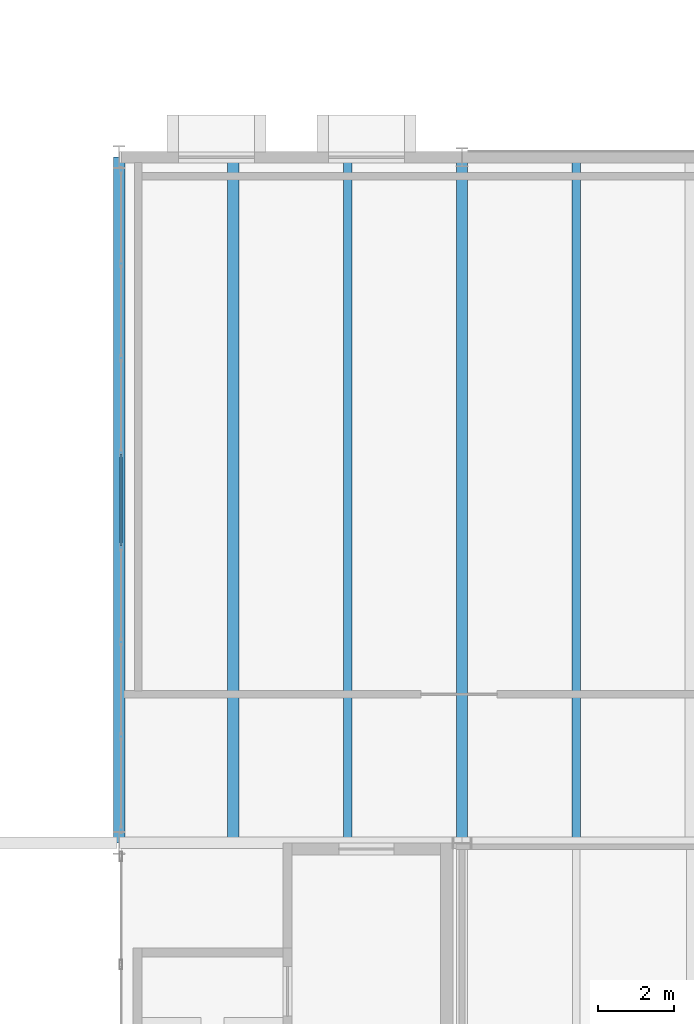
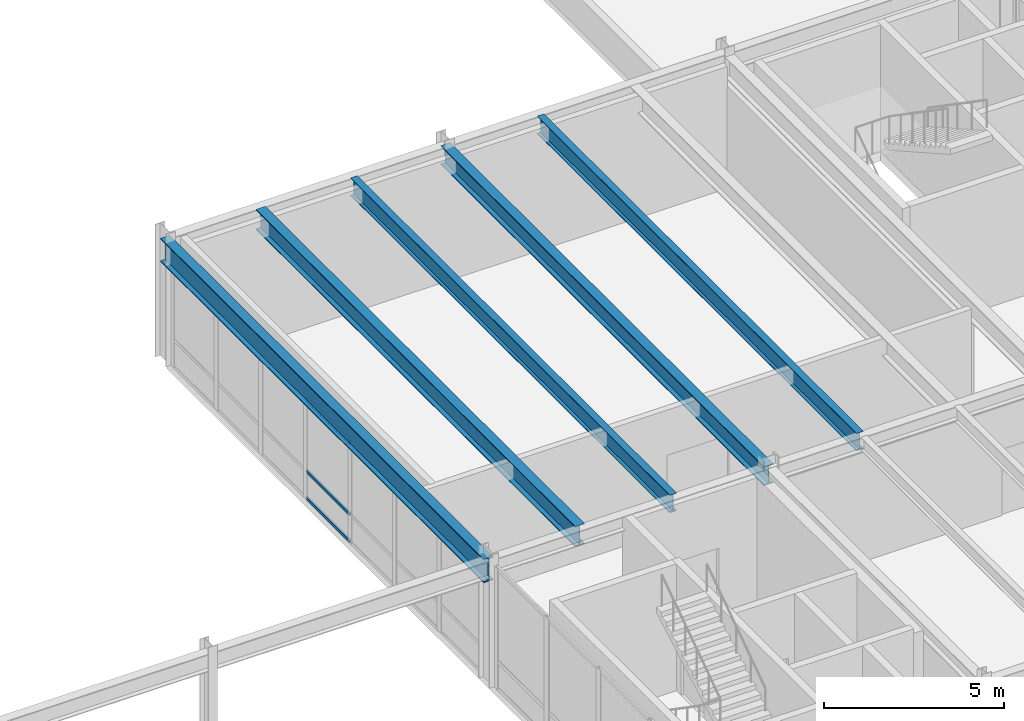
# One storey, part 79 of 115: 5 beams, 3 members, 1 element without a shape of its own.
"""IFC4 building model written with IfcOpenShell, lengths in metres."""

from ifc_helpers import new_model, si_unit, direction, frame, origin, origin_2d, place, context, subcontext, project, spatial, hollow_rectangle, i_section, extrude, material, layer, layer_set, material_profile, profile_set, type_object, element, aggregate, save


model = new_model("IFC4")

# Units and contexts
model_context = context("Model", 3, precision=1e-05, world=origin(), true_north=direction((0.0, 1.0)))
body_context = subcontext(model_context, "Body", "Model", "MODEL_VIEW")
ifc_project = project(units=[si_unit("LENGTHUNIT", "METRE"), si_unit("AREAUNIT", "SQUARE_METRE"), si_unit("VOLUMEUNIT", "CUBIC_METRE"), si_unit("PLANEANGLEUNIT", "RADIAN"), si_unit("MASSUNIT", "GRAM", prefix="KILO")], contexts=[model_context])

# Site, building, storey
site_placement = place(None, origin())
site = spatial("IfcSite", under=ifc_project, at=site_placement, CompositionType="ELEMENT")
building_placement = place(site_placement, origin())
building = spatial("IfcBuilding", under=site, at=building_placement, Name="Montelvaro Courts of Justice", CompositionType="ELEMENT")
storey_placement = place(building_placement, frame((0.0, 0.0, 9.89990234375)))
storey = spatial("IfcBuildingStorey", under=building, at=storey_placement, Name="L02", CompositionType="ELEMENT", Elevation=9.89990234375)

# Beams
ifc_material_1 = material(Name="Steel S355", Category="steel")
ifc_material_profile_1 = material_profile(ifc_material_1, i_section(OverallWidth=0.300048828125, OverallDepth=0.68994140625, WebThickness=0.014404296875, FlangeThickness=0.027099609375, at=origin_2d()), Name="HEA 700")
ifc_profile_set_1 = profile_set([ifc_material_profile_1], Name="Steel S355")
beam_type_1 = type_object("IfcBeamType", Name="Beam_HEA700", PredefinedType="USERDEFINED", material=ifc_profile_set_1)
beam_1_placement = place(storey_placement, frame((102.0, 78.110107421875, 3.85498046875), z_axis=(0.0, 1.0, 0.0), x_axis=(-1.0, 0.0, 0.0)))
element("IfcBeam", 1, at=beam_1_placement, inside=storey, type_object=beam_type_1, Name="Beam B-23 L02", ObjectType="GIRDER", PredefinedType="USERDEFINED", context=body_context, shape_type="SweptSolid", body=[
    extrude(i_section(OverallWidth=0.300048828125, OverallDepth=0.68994140625, WebThickness=0.014404296875, FlangeThickness=0.027099609375, at=origin_2d()), origin(), (0.0, 0.0, 1.0), 17.77978515625),
])
ifc_material_profile_2 = material_profile(ifc_material_1, i_section(OverallWidth=0.300048828125, OverallDepth=0.64990234375, WebThickness=0.01611328125, FlangeThickness=0.031005859375, at=origin_2d()), Name="HEB 650")
ifc_profile_set_2 = profile_set([ifc_material_profile_2], Name="Steel S355")
beam_type_2 = type_object("IfcBeamType", Name="Beam_HEB650", PredefinedType="USERDEFINED", material=ifc_profile_set_2)
beam_2_placement = place(storey_placement, frame((108.0, 78.0, 3.875), z_axis=(0.0, 1.0, 0.0), x_axis=(-1.0, 0.0, 0.0)))
element("IfcBeam", 2, at=beam_2_placement, inside=storey, type_object=beam_type_2, Name="Beam B-27 L02", ObjectType="GIRDER", PredefinedType="USERDEFINED", context=body_context, shape_type="SweptSolid", body=[
    extrude(i_section(OverallWidth=0.300048828125, OverallDepth=0.64990234375, WebThickness=0.01611328125, FlangeThickness=0.031005859375, at=origin_2d()), origin(), (0.0, 0.0, 1.0), 18.0),
])
ifc_material_profile_3 = material_profile(ifc_material_1, i_section(OverallWidth=0.300048828125, OverallDepth=0.800048828125, WebThickness=0.017578125, FlangeThickness=0.032958984375, at=origin_2d()), Name="HEB 800")
ifc_profile_set_3 = profile_set([ifc_material_profile_3], Name="Steel S355")
beam_type_3 = type_object("IfcBeamType", Name="Beam_HEB800", PredefinedType="USERDEFINED", material=ifc_profile_set_3)
beam_3_placement = place(storey_placement, frame((99.0, 78.0, 3.800048828125), z_axis=(0.0, 1.0, 0.0), x_axis=(-1.0, 0.0, 0.0)))
element("IfcBeam", 3, at=beam_3_placement, inside=storey, type_object=beam_type_3, Name="Beam B-29 L02", ObjectType="GIRDER", PredefinedType="USERDEFINED", context=body_context, shape_type="SweptSolid", body=[
    extrude(i_section(OverallWidth=0.300048828125, OverallDepth=0.800048828125, WebThickness=0.017578125, FlangeThickness=0.032958984375, at=origin_2d()), origin(), (0.0, 0.0, 1.0), 18.0),
])
ifc_material_profile_4 = material_profile(ifc_material_1, i_section(OverallWidth=0.219970703125, OverallDepth=0.60009765625, WebThickness=0.011962890625, FlangeThickness=0.01904296875, at=origin_2d()), Name="IPE 600")
ifc_profile_set_4 = profile_set([ifc_material_profile_4], Name="Steel S355")
beam_type_4 = type_object("IfcBeamType", Name="Beam_IPE600", PredefinedType="USERDEFINED", material=ifc_profile_set_4)
for number, where, z_axis, x_axis, name in (
    (4, (105.0, 78.110107421875, 3.900146484375), (0.0, 1.0, 0.0), (-1.0, 0.0, 0.0), "Beam B-12 L02"),
    (5, (111.0, 78.110107421875, 3.900146484375), (0.0, 1.0, 0.0), (-1.0, 0.0, 0.0), "Beam B-12 L02"),
):
    element("IfcBeam", number, at=place(storey_placement, frame(where, z_axis=z_axis, x_axis=x_axis)), inside=storey, type_object=beam_type_4, Name=name, ObjectType="GIRDER", PredefinedType="USERDEFINED", context=body_context, shape_type="SweptSolid", body=[
        extrude(i_section(OverallWidth=0.219970703125, OverallDepth=0.60009765625, WebThickness=0.011962890625, FlangeThickness=0.01904296875, at=origin_2d()), origin(), (0.0, 0.0, 1.0), 17.77978515625),
    ])

# Curtain wall, members
ifc_material_2 = material(Name="Anodised aluminium EN AW-6063", Category="aluminium")
ifc_layer = layer(ifc_material_2, 0.159912109375)
ifc_layer_set = layer_set([ifc_layer], Name="Anodised aluminium EN AW-6063")
curtain_wall_type = type_object("IfcCurtainWallType", Name="CurtainWall_27_1737x418", PredefinedType="USERDEFINED", material=ifc_layer_set)
curtain_wall_placement = place(storey_placement, origin())
curtain_wall = element("IfcCurtainWall", 6, at=curtain_wall_placement, inside=storey, type_object=curtain_wall_type, Name="Curtain Wall CW-27 (L02)", ObjectType="CURTAIN WALL", PredefinedType="USERDEFINED")
ifc_material_profile_5 = material_profile(ifc_material_2, hollow_rectangle(XDim=0.06005859375, YDim=0.10009765625, WallThickness=0.00341796875, at=origin_2d()), Name="ALU-T 60x100")
ifc_profile_set_5 = profile_set([ifc_material_profile_5], Name="Anodised aluminium EN AW-6063")
member_type = type_object("IfcMemberType", Name="CurtainWall_Transom_60x100", PredefinedType="USERDEFINED", material=ifc_profile_set_5)
member_1_placement = place(storey_placement, frame((99.050048828125, 88.208251953125, 0.030029296875), z_axis=(0.0, -1.0, 0.0), x_axis=(1.0, 0.0, 0.0)))
member_1 = element("IfcMember", 7, at=member_1_placement, type_object=member_type, Name="CW-27 transom 4.1", ObjectType="TRANSOM", PredefinedType="USERDEFINED", context=body_context, shape_type="SweptSolid", body=[
    extrude(hollow_rectangle(XDim=0.06005859375, YDim=0.10009765625, WallThickness=0.00341796875, at=origin_2d()), origin(), (0.0, 0.0, 1.0), 2.41650390625),
])
member_2_placement = place(storey_placement, frame((99.050048828125, 88.208251953125, 0.9501953125), z_axis=(0.0, -1.0, 0.0), x_axis=(1.0, 0.0, 0.0)))
member_2 = element("IfcMember", 8, at=member_2_placement, type_object=member_type, Name="CW-27 transom 4.2", ObjectType="TRANSOM", PredefinedType="USERDEFINED", context=body_context, shape_type="SweptSolid", body=[
    extrude(hollow_rectangle(XDim=0.06005859375, YDim=0.10009765625, WallThickness=0.00341796875, at=origin_2d()), origin(), (0.0, 0.0, 1.0), 2.41650390625),
])
member_3_placement = place(storey_placement, frame((99.050048828125, 88.208251953125, 3.364990234375), z_axis=(0.0, -1.0, 0.0), x_axis=(1.0, 0.0, 0.0)))
member_3 = element("IfcMember", 9, at=member_3_placement, type_object=member_type, Name="CW-27 transom 4.3", ObjectType="TRANSOM", PredefinedType="USERDEFINED", context=body_context, shape_type="SweptSolid", body=[
    extrude(hollow_rectangle(XDim=0.06005859375, YDim=0.10009765625, WallThickness=0.00341796875, at=origin_2d()), origin(), (0.0, 0.0, 1.0), 2.41650390625),
])
aggregate(curtain_wall, [member_1, member_2, member_3])

save(model, "model.ifc")
